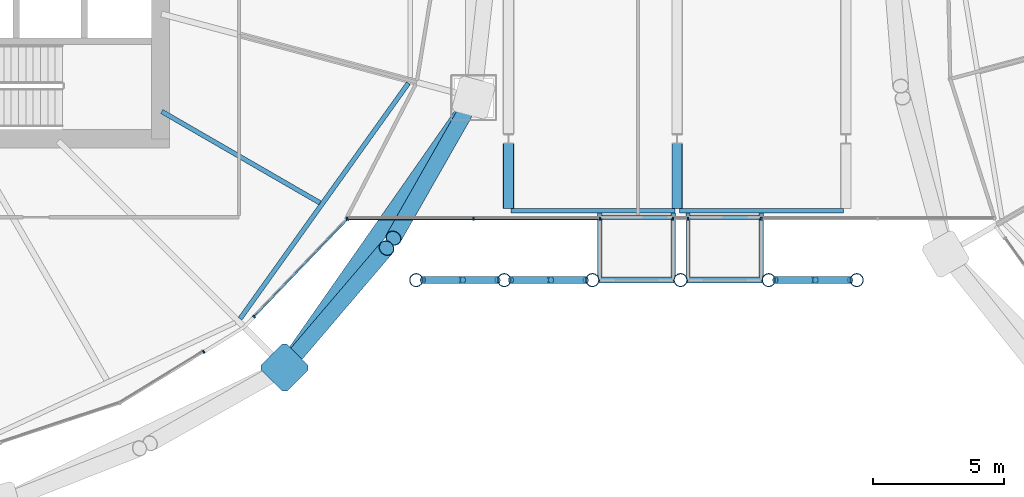
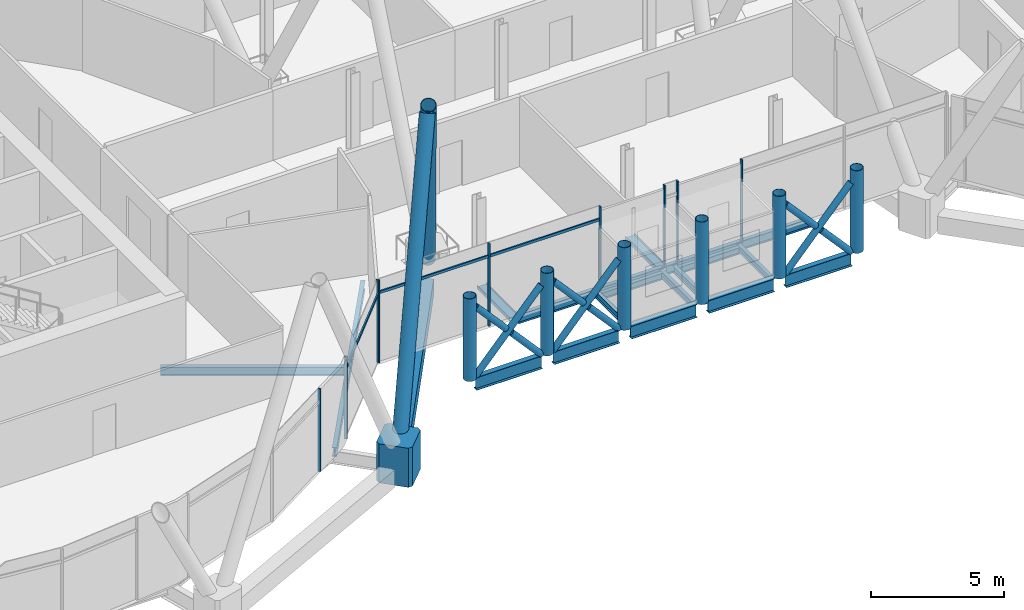
# One storey, part 6 of 35: 30 members, 18 beams, 2 elements without a shape of their own.
"""IFC4 building model written with IfcOpenShell, lengths in metres."""

from ifc_helpers import new_model, si_unit, direction, frame, origin, origin_2d, place, context, subcontext, project, spatial, polyline, rectangle, hollow_rectangle, hollow_circle, i_section, outline, extrude, material, material_profile, profile_set, type_object, element, aggregate, save


model = new_model("IFC4")

# Units and contexts
model_context = context("Model", 3, precision=1e-05, world=origin(), true_north=direction((0.0, 1.0)))
body_context = subcontext(model_context, "Body", "Model", "MODEL_VIEW")
ifc_project = project(units=[si_unit("LENGTHUNIT", "METRE"), si_unit("AREAUNIT", "SQUARE_METRE"), si_unit("VOLUMEUNIT", "CUBIC_METRE"), si_unit("PLANEANGLEUNIT", "RADIAN"), si_unit("MASSUNIT", "GRAM", prefix="KILO")], contexts=[model_context])

# Site, building, storey
site_placement = place(None, origin())
site = spatial("IfcSite", under=ifc_project, at=site_placement, CompositionType="ELEMENT")
building_placement = place(site_placement, origin())
building = spatial("IfcBuilding", under=site, at=building_placement, Name="Rimbun Link Towers", CompositionType="ELEMENT")
storey_placement = place(building_placement, frame((0.0, 0.0, 146.800048828125)))
storey = spatial("IfcBuildingStorey", under=building, at=storey_placement, Name="L35", CompositionType="ELEMENT", Elevation=146.800048828125)

# Curtain wall, members
ifc_material_1 = material(Name="Aluminium 6063-T6 and low-iron glass", Category="aluminium")
curtain_wall_type = type_object("IfcCurtainWallType", Name="CW4 link block wall", PredefinedType="NOTDEFINED", material=ifc_material_1)
curtain_wall_1_placement = place(storey_placement, origin())
curtain_wall_1 = element("IfcCurtainWall", 1, at=curtain_wall_1_placement, inside=storey, type_object=curtain_wall_type, Name="CW4 L35 T1", PredefinedType="NOTDEFINED")
ifc_material_2 = material(Name="Aluminium 6063-T6", Category="aluminium")
ifc_material_profile_1 = material_profile(ifc_material_2, rectangle(XDim=0.1201171875, YDim=0.06005859375, at=origin_2d()), Name="MULLION 60X120")
ifc_profile_set_1 = profile_set([ifc_material_profile_1], Name="Aluminium 6063-T6")
member_type_1 = type_object("IfcMemberType", Name="CW4 mullion 60X120", PredefinedType="MULLION", material=ifc_profile_set_1)
member_1_placement = place(storey_placement, frame((-18.098388671875, -16.147216796875, 0.0), z_axis=(0.0, 0.0, 1.0), x_axis=(0.523225378089, -0.852194346217, 0.0)))
member_1 = element("IfcMember", 2, at=member_1_placement, type_object=member_type_1, Name="CW4 mullion", PredefinedType="MULLION", context=body_context, shape_type="SweptSolid", body=[
    extrude(rectangle(XDim=0.1201171875, YDim=0.06005859375, at=origin_2d()), origin(), (0.0, 0.0, 1.0), 3.800048828125),
])
member_2_placement = place(storey_placement, frame((-12.599853515625, -11.07275390625, 0.0), z_axis=(0.0, 0.0, 1.0), x_axis=(0.721858090698, -0.692041109252, 0.0)))
member_2 = element("IfcMember", 3, at=member_2_placement, type_object=member_type_1, Name="CW4 mullion", PredefinedType="MULLION", context=body_context, shape_type="SweptSolid", body=[
    extrude(rectangle(XDim=0.1201171875, YDim=0.06005859375, at=origin_2d()), origin(), (0.0, 0.0, 1.0), 3.800048828125),
])
member_3_placement = place(storey_placement, frame((-16.171875, -14.798583984375, 0.0), z_axis=(0.0, 0.0, 1.0), x_axis=(0.721858090698, -0.692041109252, 0.0)))
member_3 = element("IfcMember", 4, at=member_3_placement, type_object=member_type_1, Name="CW4 mullion", PredefinedType="MULLION", context=body_context, shape_type="SweptSolid", body=[
    extrude(rectangle(XDim=0.1201171875, YDim=0.06005859375, at=origin_2d()), origin(), (0.0, 0.0, 1.0), 3.800048828125),
])

curtain_wall_2_placement = place(storey_placement, origin())
curtain_wall_2 = element("IfcCurtainWall", 5, at=curtain_wall_2_placement, inside=storey, type_object=curtain_wall_type, Name="CW4 L35 LB", PredefinedType="NOTDEFINED")
member_4_placement = place(storey_placement, frame((3.21337890625, -11.06005859375, 0.0), z_axis=(0.0, 0.0, 1.0), x_axis=(0.0, -1.0, 0.0)))
member_4 = element("IfcMember", 6, at=member_4_placement, type_object=member_type_1, Name="CW4 mullion", PredefinedType="MULLION", context=body_context, shape_type="SweptSolid", body=[
    extrude(rectangle(XDim=0.1201171875, YDim=0.06005859375, at=origin_2d()), origin(), (0.0, 0.0, 1.0), 3.800048828125),
])
member_5_placement = place(storey_placement, frame((0.413330078125, -11.06005859375, 0.0), z_axis=(0.0, 0.0, 1.0), x_axis=(0.0, -1.0, 0.0)))
member_5 = element("IfcMember", 7, at=member_5_placement, type_object=member_type_1, Name="CW4 mullion", PredefinedType="MULLION", context=body_context, shape_type="SweptSolid", body=[
    extrude(rectangle(XDim=0.1201171875, YDim=0.06005859375, at=origin_2d()), origin(), (0.0, 0.0, 1.0), 3.800048828125),
])
member_6_placement = place(storey_placement, frame((-0.15576171875, -11.06005859375, 0.0), z_axis=(0.0, 0.0, 1.0), x_axis=(0.0, -1.0, 0.0)))
member_6 = element("IfcMember", 8, at=member_6_placement, type_object=member_type_1, Name="CW4 mullion", PredefinedType="MULLION", context=body_context, shape_type="SweptSolid", body=[
    extrude(rectangle(XDim=0.1201171875, YDim=0.06005859375, at=origin_2d()), origin(), (0.0, 0.0, 1.0), 3.800048828125),
])
member_7_placement = place(storey_placement, frame((-2.95556640625, -11.06005859375, 0.0), z_axis=(0.0, 0.0, 1.0), x_axis=(0.0, -1.0, 0.0)))
member_7 = element("IfcMember", 9, at=member_7_placement, type_object=member_type_1, Name="CW4 mullion", PredefinedType="MULLION", context=body_context, shape_type="SweptSolid", body=[
    extrude(rectangle(XDim=0.1201171875, YDim=0.06005859375, at=origin_2d()), origin(), (0.0, 0.0, 1.0), 3.800048828125),
])
member_8_placement = place(storey_placement, frame((-7.791259765625, -11.06005859375, 0.0), z_axis=(0.0, 0.0, 1.0), x_axis=(0.0, -1.0, 0.0)))
member_8 = element("IfcMember", 10, at=member_8_placement, type_object=member_type_1, Name="CW4 mullion", PredefinedType="MULLION", context=body_context, shape_type="SweptSolid", body=[
    extrude(rectangle(XDim=0.1201171875, YDim=0.06005859375, at=origin_2d()), origin(), (0.0, 0.0, 1.0), 3.800048828125),
])
member_9_placement = place(storey_placement, frame((-12.626953125, -11.06005859375, 0.0), z_axis=(0.0, 0.0, 1.0), x_axis=(0.0, -1.0, 0.0)))
member_9 = element("IfcMember", 11, at=member_9_placement, type_object=member_type_1, Name="CW4 mullion", PredefinedType="MULLION", context=body_context, shape_type="SweptSolid", body=[
    extrude(rectangle(XDim=0.1201171875, YDim=0.06005859375, at=origin_2d()), origin(), (0.0, 0.0, 1.0), 3.800048828125),
])

# Member
ifc_material_3 = material(Name="Aluminium 6063-T6", Category="aluminium")
ifc_material_profile_2 = material_profile(ifc_material_3, rectangle(XDim=0.06005859375, YDim=0.1201171875, at=origin_2d()), Name="TRANSOM 60X120")
ifc_profile_set_2 = profile_set([ifc_material_profile_2], Name="Aluminium 6063-T6")
member_type_2 = type_object("IfcMemberType", Name="CW4 transom 60X120", PredefinedType="USERDEFINED", material=ifc_profile_set_2)
member_10_placement = place(storey_placement, frame((-12.6220703125, -11.093017578125, 3.199951171875), z_axis=(-0.692042551771, -0.72185670776, 0.0), x_axis=(0.72185670776, -0.692042551771, 0.0)))
member_10 = element("IfcMember", 12, at=member_10_placement, type_object=member_type_2, Name="CW4 transom", ObjectType="TRANSOM", PredefinedType="USERDEFINED", context=body_context, shape_type="SweptSolid", body=[
    extrude(rectangle(XDim=0.06005859375, YDim=0.1201171875, at=origin_2d()), origin(), (0.0, 0.0, 1.0), 5.1015625),
])

aggregate(curtain_wall_1, [member_1, member_2, member_3, member_10])

member_11_placement = place(storey_placement, frame((-2.985595703125, -11.05810546875, 3.199951171875), z_axis=(-1.0, 0.0, 0.0), x_axis=(0.0, -1.0, 0.0)))
member_11 = element("IfcMember", 13, at=member_11_placement, type_object=member_type_2, Name="CW4 transom", ObjectType="TRANSOM", PredefinedType="USERDEFINED", context=body_context, shape_type="SweptSolid", body=[
    extrude(rectangle(XDim=0.06005859375, YDim=0.1201171875, at=origin_2d()), origin(), (0.0, 0.0, 1.0), 4.775634765625),
])

member_12_placement = place(storey_placement, frame((-7.8212890625, -11.05810546875, 3.199951171875), z_axis=(-1.0, 0.0, 0.0), x_axis=(0.0, -1.0, 0.0)))
member_12 = element("IfcMember", 14, at=member_12_placement, type_object=member_type_2, Name="CW4 transom", ObjectType="TRANSOM", PredefinedType="USERDEFINED", context=body_context, shape_type="SweptSolid", body=[
    extrude(rectangle(XDim=0.06005859375, YDim=0.1201171875, at=origin_2d()), origin(), (0.0, 0.0, 1.0), 4.775634765625),
])

aggregate(curtain_wall_2, [member_4, member_5, member_6, member_7, member_8, member_9, member_11, member_12])

# Beams
ifc_material_4 = material(Name="Steel S355J2", Category="steel")
ifc_material_profile_3 = material_profile(ifc_material_4, i_section(OverallWidth=0.1650390625, OverallDepth=0.303466796875, WebThickness=0.006103515625, FlangeThickness=0.01025390625, at=origin_2d()), Name="UB 305x165x40")
ifc_profile_set_3 = profile_set([ifc_material_profile_3], Name="Steel S355J2")
beam_type_1 = type_object("IfcBeamType", Name="Capsule bracket beam UB 305x165x40", PredefinedType="BEAM", material=ifc_profile_set_3)
for number, where, z_axis, x_axis, name in (
    (15, (-2.95556640625, -10.8349609375, -0.371826171875), (0.0, -1.0, 0.0), (1.0, 0.0, 0.0), "Capsule F35.11 bracket beam 1"),
    (16, (-0.15576171875, -10.8349609375, -0.371826171875), (0.0, -1.0, 0.0), (1.0, 0.0, 0.0), "Capsule F35.11 bracket beam 2"),
):
    element("IfcBeam", number, at=place(storey_placement, frame(where, z_axis=z_axis, x_axis=x_axis)), inside=storey, type_object=beam_type_1, Name=name, PredefinedType="BEAM", context=body_context, shape_type="SweptSolid", body=[
        extrude(i_section(OverallWidth=0.1650390625, OverallDepth=0.303466796875, WebThickness=0.006103515625, FlangeThickness=0.01025390625, at=origin_2d()), origin(), (0.0, 0.0, 1.0), 2.451171875),
    ])
beam_1_placement = place(storey_placement, frame((-2.873046875, -11.0, -0.371826171875), z_axis=(1.0, 0.0, 0.0), x_axis=(0.0, 1.0, 0.0)))
element("IfcBeam", 17, at=beam_1_placement, inside=storey, type_object=beam_type_1, Name="Capsule F35.11 bracket beam 3", PredefinedType="BEAM", context=body_context, shape_type="SweptSolid", body=[
    extrude(i_section(OverallWidth=0.1650390625, OverallDepth=0.303466796875, WebThickness=0.006103515625, FlangeThickness=0.01025390625, at=origin_2d()), origin(), (0.0, 0.0, 1.0), 2.635009765625),
])
for number, where, z_axis, x_axis, name in (
    (18, (0.413330078125, -10.8349609375, -0.371826171875), (0.0, -1.0, 0.0), (1.0, 0.0, 0.0), "Capsule F35.12 bracket beam 1"),
    (19, (3.21337890625, -10.8349609375, -0.371826171875), (0.0, -1.0, 0.0), (1.0, 0.0, 0.0), "Capsule F35.12 bracket beam 2"),
):
    element("IfcBeam", number, at=place(storey_placement, frame(where, z_axis=z_axis, x_axis=x_axis)), inside=storey, type_object=beam_type_1, Name=name, PredefinedType="BEAM", context=body_context, shape_type="SweptSolid", body=[
        extrude(i_section(OverallWidth=0.1650390625, OverallDepth=0.303466796875, WebThickness=0.006103515625, FlangeThickness=0.01025390625, at=origin_2d()), origin(), (0.0, 0.0, 1.0), 2.451171875),
    ])
beam_2_placement = place(storey_placement, frame((0.495849609375, -11.0, -0.371826171875), z_axis=(1.0, 0.0, 0.0), x_axis=(0.0, 1.0, 0.0)))
element("IfcBeam", 20, at=beam_2_placement, inside=storey, type_object=beam_type_1, Name="Capsule F35.12 bracket beam 3", PredefinedType="BEAM", context=body_context, shape_type="SweptSolid", body=[
    extrude(i_section(OverallWidth=0.1650390625, OverallDepth=0.303466796875, WebThickness=0.006103515625, FlangeThickness=0.01025390625, at=origin_2d()), origin(), (0.0, 0.0, 1.0), 2.635009765625),
])

# Members
ifc_material_5 = material(Name="Steel S355J2H", Category="steel")
ifc_material_profile_4 = material_profile(ifc_material_5, hollow_circle(Radius=0.3046875, WallThickness=0.02490234375, at=origin_2d()), Name="Diagrid diagonal CHS 610x25")
ifc_profile_set_4 = profile_set([ifc_material_profile_4], Name="Steel S355J2H")
member_type_3 = type_object("IfcMemberType", Name="Diagrid diagonal CHS 610x25", PredefinedType="BRACE", material=ifc_profile_set_4)
member_13_placement = place(storey_placement, frame((-14.856201171875, -16.571044921875, 0.4443359375), z_axis=(0.29708649833, 0.348465852335, 0.888994466949), x_axis=(-0.760978820857, 0.648776721382, 0.0)))
element("IfcMember", 21, at=member_13_placement, inside=storey, type_object=member_type_3, Name="Diagrid diagonal T1 L35-L38 21b", PredefinedType="BRACE", context=body_context, shape_type="SweptSolid", body=[
    extrude(hollow_circle(Radius=0.3046875, WallThickness=0.02490234375, at=origin_2d()), origin(), (0.0, 0.0, 1.0), 12.611083984375),
])
member_14_placement = place(storey_placement, frame((-7.8994140625, -6.62548828125, 0.441650390625), z_axis=(-0.231981788807, -0.407381246729, 0.883303441336), x_axis=(0.868984156582, -0.494839909071, 0.0)))
element("IfcMember", 22, at=member_14_placement, inside=storey, type_object=member_type_3, Name="Diagrid diagonal T1 L35-L38 23a", PredefinedType="BRACE", context=body_context, shape_type="SweptSolid", body=[
    extrude(hollow_circle(Radius=0.3046875, WallThickness=0.02490234375, at=origin_2d()), origin(), (0.0, 0.0, 1.0), 12.698486328125),
])
ifc_material_6 = material(Name="Cast steel G20Mn5+QT, Rp0.2 300 MPa", Category="steel")
ifc_material_profile_5 = material_profile(ifc_material_6, outline(polyline([(0.699951171875, -0.570068359375), (0.699951171875, 0.570068359375), (0.570068359375, 0.699951171875), (-0.570068359375, 0.699951171875), (-0.699951171875, 0.570068359375), (-0.699951171875, -0.570068359375), (-0.570068359375, -0.699951171875), (0.570068359375, -0.699951171875), (0.699951171875, -0.570068359375)])), Name="NODE 1400x1400")
ifc_profile_set_5 = profile_set([ifc_material_profile_5], Name="Cast steel G20Mn5+QT, Rp0.2 300 MPa")
member_type_4 = type_object("IfcMemberType", Name="Diagrid node cast 1400", PredefinedType="USERDEFINED", material=ifc_profile_set_5)
member_15_placement = place(storey_placement, frame((-15.0048828125, -16.7451171875, -0.900146484375), z_axis=(0.0, 0.0, 1.0), x_axis=(0.707106781187, -0.707106781187, 0.0)))
element("IfcMember", 23, at=member_15_placement, inside=storey, type_object=member_type_4, Name="Diagrid node L35 21", ObjectType="Diagrid node", PredefinedType="USERDEFINED", context=body_context, shape_type="SweptSolid", body=[
    extrude(outline(polyline([(0.699951171875, -0.570068359375), (0.699951171875, 0.570068359375), (0.570068359375, 0.699951171875), (-0.570068359375, 0.699951171875), (-0.699951171875, 0.570068359375), (-0.699951171875, -0.570068359375), (-0.570068359375, -0.699951171875), (0.570068359375, -0.699951171875), (0.699951171875, -0.570068359375)])), origin(), (0.0, 0.0, 1.0), 1.800048828125),
])

# Beams
ifc_material_7 = material(Name="Steel S355J2", Category="steel")
ifc_material_profile_6 = material_profile(ifc_material_7, hollow_rectangle(XDim=0.60009765625, YDim=0.800048828125, WallThickness=0.0400390625, at=origin_2d()), Name="Exoskeleton ring girder BOX 600x800x40")
ifc_profile_set_6 = profile_set([ifc_material_profile_6], Name="Steel S355J2")
beam_type_2 = type_object("IfcBeamType", Name="Exoskeleton ring girder BOX 600x800x40", PredefinedType="BEAM", material=ifc_profile_set_6)
beam_3_placement = place(storey_placement, frame((-14.603515625, -16.171630859375, -0.56005859375), z_axis=(0.573196018056, 0.819418284446, 0.0), x_axis=(-0.819418284446, 0.573196018056, 0.0)))
element("IfcBeam", 24, at=beam_3_placement, inside=storey, type_object=beam_type_2, Name="Exoskeleton ring girder L35 08", PredefinedType="BEAM", context=body_context, shape_type="SweptSolid", body=[
    extrude(hollow_rectangle(XDim=0.60009765625, YDim=0.800048828125, WallThickness=0.0400390625, at=origin_2d()), origin(), (0.0, 0.0, 1.0), 11.198486328125),
])
ifc_material_8 = material(Name="Steel S355J2", Category="steel")
ifc_material_profile_7 = material_profile(ifc_material_8, i_section(OverallWidth=0.177978515625, OverallDepth=0.406494140625, WebThickness=0.0078125, FlangeThickness=0.0126953125, at=origin_2d()), Name="UKB 406x178x60")
ifc_profile_set_7 = profile_set([ifc_material_profile_7], Name="Steel S355J2")
beam_type_3 = type_object("IfcBeamType", Name="Link floor beam UKB 406x178x60", PredefinedType="BEAM", material=ifc_profile_set_7)
for number, where, z_axis, x_axis, name in (
    (25, (-6.449951171875, -10.660888671875, -0.36328125), (0.0, 1.0, 0.0), (0.0, 0.0, 1.0), "Link floor beam L35 00"),
    (26, (0.0, -10.660888671875, -0.36328125), (0.0, 1.0, 0.0), (0.0, 0.0, 1.0), "Link floor beam L35 04"),
):
    element("IfcBeam", number, at=place(storey_placement, frame(where, z_axis=z_axis, x_axis=x_axis)), inside=storey, type_object=beam_type_3, Name=name, PredefinedType="BEAM", context=body_context, shape_type="SweptSolid", body=[
        extrude(i_section(OverallWidth=0.177978515625, OverallDepth=0.406494140625, WebThickness=0.0078125, FlangeThickness=0.0126953125, at=origin_2d()), origin(), (0.0, 0.0, 1.0), 2.473388671875),
    ])
for number, where, z_axis, x_axis, name in (
    (27, (-6.361083984375, -10.75, -0.36328125), (1.0, 0.0, 0.0), (0.0, 1.0, 0.0), "Link edge beam L35 12"),
    (28, (0.089111328125, -10.75, -0.36328125), (1.0, 0.0, 0.0), (0.0, 1.0, 0.0), "Link edge beam L35 13"),
):
    element("IfcBeam", number, at=place(storey_placement, frame(where, z_axis=z_axis, x_axis=x_axis)), inside=storey, type_object=beam_type_3, Name=name, PredefinedType="BEAM", context=body_context, shape_type="SweptSolid", body=[
        extrude(i_section(OverallWidth=0.177978515625, OverallDepth=0.406494140625, WebThickness=0.0078125, FlangeThickness=0.0126953125, at=origin_2d()), origin(), (0.0, 0.0, 1.0), 6.27197265625),
    ])

# Members
ifc_material_9 = material(Name="Steel S355J2H", Category="steel")
ifc_material_profile_8 = material_profile(ifc_material_9, hollow_circle(Radius=0.136474609375, WallThickness=0.012451171875, at=origin_2d()), Name="CHS 273x12.5")
ifc_profile_set_8 = profile_set([ifc_material_profile_8], Name="Steel S355J2H")
member_type_5 = type_object("IfcMemberType", Name="Link megaframe brace CHS 273x12.5", PredefinedType="BRACE", material=ifc_profile_set_8)
member_16_placement = place(storey_placement, frame((-9.72412109375, -13.39990234375, -0.219970703125), z_axis=(0.66684309408, 0.0, 0.745198153432), x_axis=(0.0, 1.0, 0.0)))
element("IfcMember", 29, at=member_16_placement, inside=storey, type_object=member_type_5, Name="Link megaframe brace S0-1 bay 4.1", PredefinedType="BRACE", context=body_context, shape_type="SweptSolid", body=[
    extrude(hollow_circle(Radius=0.136474609375, WallThickness=0.012451171875, at=origin_2d()), origin(), (0.0, 0.0, 1.0), 4.29052734375),
])
for number, where, z_axis, x_axis, name in (
    (30, (-6.863037109375, -13.39990234375, -0.219970703125), (-0.666827130153, 0.0, 0.745212438498), (0.0, -1.0, 0.0), "Link megaframe brace S0-1 bay 4.2a"),
    (31, (-8.39697265625, -13.39990234375, 1.494140625), (-0.666827130153, 0.0, 0.745212438498), (0.0, -1.0, 0.0), "Link megaframe brace S0-1 bay 4.2b"),
):
    element("IfcMember", number, at=place(storey_placement, frame(where, z_axis=z_axis, x_axis=x_axis)), inside=storey, type_object=member_type_5, Name=name, PredefinedType="BRACE", context=body_context, shape_type="SweptSolid", body=[
        extrude(hollow_circle(Radius=0.136474609375, WallThickness=0.012451171875, at=origin_2d()), origin(), (0.0, 0.0, 1.0), 1.990234375),
    ])
member_17_placement = place(storey_placement, frame((-6.35498046875, -13.39990234375, -0.219970703125), z_axis=(0.666811493041, 0.0, 0.745226430522), x_axis=(0.0, 1.0, 0.0)))
element("IfcMember", 32, at=member_17_placement, inside=storey, type_object=member_type_5, Name="Link megaframe brace S1-2 bay 4.1", PredefinedType="BRACE", context=body_context, shape_type="SweptSolid", body=[
    extrude(hollow_circle(Radius=0.136474609375, WallThickness=0.012451171875, at=origin_2d()), origin(), (0.0, 0.0, 1.0), 4.290283203125),
])
member_18_placement = place(storey_placement, frame((-3.494140625, -13.39990234375, -0.219970703125), z_axis=(-0.666827130153, 0.0, 0.745212438498), x_axis=(0.0, -1.0, 0.0)))
element("IfcMember", 33, at=member_18_placement, inside=storey, type_object=member_type_5, Name="Link megaframe brace S1-2 bay 4.2a", PredefinedType="BRACE", context=body_context, shape_type="SweptSolid", body=[
    extrude(hollow_circle(Radius=0.136474609375, WallThickness=0.012451171875, at=origin_2d()), origin(), (0.0, 0.0, 1.0), 1.990234375),
])
member_19_placement = place(storey_placement, frame((-5.028076171875, -13.39990234375, 1.494140625), z_axis=(-0.666758998756, 0.0, 0.745273397874), x_axis=(0.0, -1.0, 0.0)))
element("IfcMember", 34, at=member_19_placement, inside=storey, type_object=member_type_5, Name="Link megaframe brace S1-2 bay 4.2b", PredefinedType="BRACE", context=body_context, shape_type="SweptSolid", body=[
    extrude(hollow_circle(Radius=0.136474609375, WallThickness=0.012451171875, at=origin_2d()), origin(), (0.0, 0.0, 1.0), 1.989990234375),
])
member_20_placement = place(storey_placement, frame((3.751708984375, -13.39990234375, -0.219970703125), z_axis=(0.66684309408, 0.0, 0.745198153432), x_axis=(0.0, 1.0, 0.0)))
element("IfcMember", 35, at=member_20_placement, inside=storey, type_object=member_type_5, Name="Link megaframe brace S4-5 bay 4.1", PredefinedType="BRACE", context=body_context, shape_type="SweptSolid", body=[
    extrude(hollow_circle(Radius=0.136474609375, WallThickness=0.012451171875, at=origin_2d()), origin(), (0.0, 0.0, 1.0), 4.29052734375),
])
for number, where, z_axis, x_axis, name in (
    (36, (6.61279296875, -13.39990234375, -0.219970703125), (-0.666827130153, 0.0, 0.745212438498), (0.0, -1.0, 0.0), "Link megaframe brace S4-5 bay 4.2a"),
    (37, (5.078857421875, -13.39990234375, 1.494140625), (-0.666827130153, 0.0, 0.745212438498), (0.0, -1.0, 0.0), "Link megaframe brace S4-5 bay 4.2b"),
):
    element("IfcMember", number, at=place(storey_placement, frame(where, z_axis=z_axis, x_axis=x_axis)), inside=storey, type_object=member_type_5, Name=name, PredefinedType="BRACE", context=body_context, shape_type="SweptSolid", body=[
        extrude(hollow_circle(Radius=0.136474609375, WallThickness=0.012451171875, at=origin_2d()), origin(), (0.0, 0.0, 1.0), 1.990234375),
    ])
ifc_material_10 = material(Name="Steel S355J2H", Category="steel")
ifc_material_profile_9 = material_profile(ifc_material_10, hollow_circle(Radius=0.25390625, WallThickness=0.02001953125, at=origin_2d()), Name="CHS 508x20")
ifc_profile_set_9 = profile_set([ifc_material_profile_9], Name="Steel S355J2H")
member_type_6 = type_object("IfcMemberType", Name="Link megaframe post CHS 508x20", PredefinedType="POST", material=ifc_profile_set_9)
for number, where, z_axis, x_axis, name in (
    (38, (-9.97802734375, -13.39990234375, -0.219970703125), (0.0, 0.0, 1.0), (1.0, 0.0, 0.0), "Link megaframe post S0 bay 4"),
    (39, (-6.609130859375, -13.39990234375, -0.219970703125), (0.0, 0.0, 1.0), (1.0, 0.0, 0.0), "Link megaframe post S1 bay 4"),
    (40, (-3.239990234375, -13.39990234375, -0.219970703125), (0.0, 0.0, 1.0), (1.0, 0.0, 0.0), "Link megaframe post S2 bay 4"),
    (41, (0.12890625, -13.39990234375, -0.219970703125), (0.0, 0.0, 1.0), (1.0, 0.0, 0.0), "Link megaframe post S3 bay 4"),
    (42, (3.497802734375, -13.39990234375, -0.219970703125), (0.0, 0.0, 1.0), (1.0, 0.0, 0.0), "Link megaframe post S4 bay 4"),
    (43, (6.86669921875, -13.39990234375, -0.219970703125), (0.0, 0.0, 1.0), (1.0, 0.0, 0.0), "Link megaframe post S5 bay 4"),
):
    element("IfcMember", number, at=place(storey_placement, frame(where, z_axis=z_axis, x_axis=x_axis)), inside=storey, type_object=member_type_6, Name=name, PredefinedType="POST", context=body_context, shape_type="SweptSolid", body=[
        extrude(hollow_circle(Radius=0.25390625, WallThickness=0.02001953125, at=origin_2d()), origin(), (0.0, 0.0, 1.0), 3.7998046875),
    ])

# Beams
ifc_material_11 = material(Name="Steel S355J2", Category="steel")
ifc_material_profile_10 = material_profile(ifc_material_11, i_section(OverallWidth=0.2275390625, OverallDepth=0.6025390625, WebThickness=0.010498046875, FlangeThickness=0.014892578125, at=origin_2d()), Name="UB 610x229x101")
ifc_profile_set_10 = profile_set([ifc_material_profile_10], Name="Steel S355J2")
beam_type_4 = type_object("IfcBeamType", Name="Link megaframe ring beam UB 610x229x101", PredefinedType="BEAM", material=ifc_profile_set_10)
beam_4_placement = place(storey_placement, frame((-9.72412109375, -13.39990234375, -0.521240234375), z_axis=(1.0, 0.0, 0.0), x_axis=(0.0, 1.0, 0.0)))
element("IfcBeam", 44, at=beam_4_placement, inside=storey, type_object=beam_type_4, Name="Link megaframe ring beam S0-1 L35", PredefinedType="BEAM", context=body_context, shape_type="SweptSolid", body=[
    extrude(i_section(OverallWidth=0.2275390625, OverallDepth=0.6025390625, WebThickness=0.010498046875, FlangeThickness=0.014892578125, at=origin_2d()), origin(), (0.0, 0.0, 1.0), 2.861083984375),
])
for number, where, z_axis, x_axis, name in (
    (45, (-6.35498046875, -13.39990234375, -0.521240234375), (1.0, 0.0, 0.0), (0.0, 1.0, 0.0), "Link megaframe ring beam S1-2 L35"),
    (46, (-2.986083984375, -13.39990234375, -0.521240234375), (1.0, 0.0, 0.0), (0.0, 1.0, 0.0), "Link megaframe ring beam S2-3 L35"),
):
    element("IfcBeam", number, at=place(storey_placement, frame(where, z_axis=z_axis, x_axis=x_axis)), inside=storey, type_object=beam_type_4, Name=name, PredefinedType="BEAM", context=body_context, shape_type="SweptSolid", body=[
        extrude(i_section(OverallWidth=0.2275390625, OverallDepth=0.6025390625, WebThickness=0.010498046875, FlangeThickness=0.014892578125, at=origin_2d()), origin(), (0.0, 0.0, 1.0), 2.86083984375),
    ])
for number, where, z_axis, x_axis, name in (
    (47, (0.3828125, -13.39990234375, -0.521240234375), (1.0, 0.0, 0.0), (0.0, 1.0, 0.0), "Link megaframe ring beam S3-4 L35"),
    (48, (3.751708984375, -13.39990234375, -0.521240234375), (1.0, 0.0, 0.0), (0.0, 1.0, 0.0), "Link megaframe ring beam S4-5 L35"),
):
    element("IfcBeam", number, at=place(storey_placement, frame(where, z_axis=z_axis, x_axis=x_axis)), inside=storey, type_object=beam_type_4, Name=name, PredefinedType="BEAM", context=body_context, shape_type="SweptSolid", body=[
        extrude(i_section(OverallWidth=0.2275390625, OverallDepth=0.6025390625, WebThickness=0.010498046875, FlangeThickness=0.014892578125, at=origin_2d()), origin(), (0.0, 0.0, 1.0), 2.861083984375),
    ])
ifc_material_12 = material(Name="Steel S355J2", Category="steel")
ifc_material_profile_11 = material_profile(ifc_material_12, i_section(OverallWidth=0.177978515625, OverallDepth=0.406494140625, WebThickness=0.0078125, FlangeThickness=0.0126953125, at=origin_2d()), Name="UB 406x178x60")
ifc_profile_set_11 = profile_set([ifc_material_profile_11], Name="Steel S355J2")
beam_type_5 = type_object("IfcBeamType", Name="UB 406x178x60", PredefinedType="BEAM", material=ifc_profile_set_11)
beam_5_placement = place(storey_placement, frame((-19.70458984375, -6.954345703125, -0.38330078125), z_axis=(0.866015068498, -0.500017900814, 0.0), x_axis=(0.500017900814, 0.866015068498, 0.0)))
element("IfcBeam", 49, at=beam_5_placement, inside=storey, type_object=beam_type_5, Name="Radial beam T1 L35 22", PredefinedType="BEAM", context=body_context, shape_type="SweptSolid", body=[
    extrude(i_section(OverallWidth=0.177978515625, OverallDepth=0.406494140625, WebThickness=0.0078125, FlangeThickness=0.0126953125, at=origin_2d()), origin(), (0.0, 0.0, 1.0), 6.986083984375),
])
beam_6_placement = place(storey_placement, frame((-16.7099609375, -14.877685546875, -0.38330078125), z_axis=(0.581403026392, 0.813615708367, 0.0), x_axis=(-0.813615708367, 0.581403026392, 0.0)))
element("IfcBeam", 50, at=beam_6_placement, inside=storey, type_object=beam_type_5, Name="Edge beam T1 L35 21-23", PredefinedType="BEAM", context=body_context, shape_type="SweptSolid", body=[
    extrude(i_section(OverallWidth=0.177978515625, OverallDepth=0.406494140625, WebThickness=0.0078125, FlangeThickness=0.0126953125, at=origin_2d()), origin(), (0.0, 0.0, 1.0), 11.067626953125),
])

save(model, "model.ifc")
